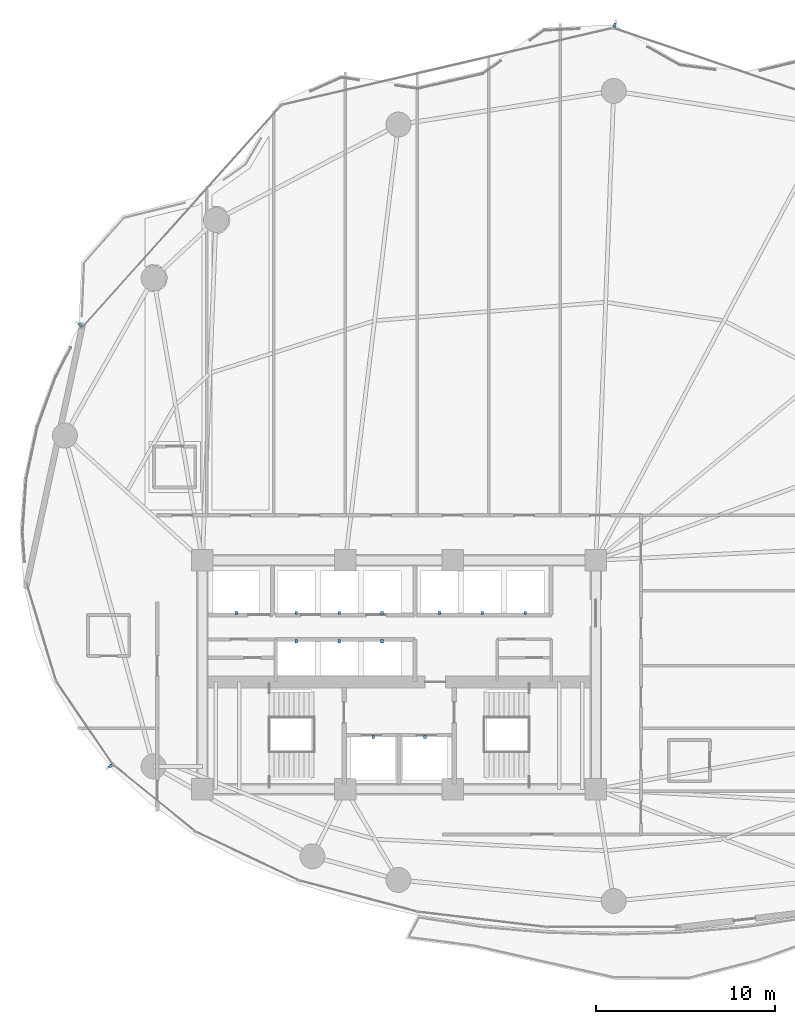
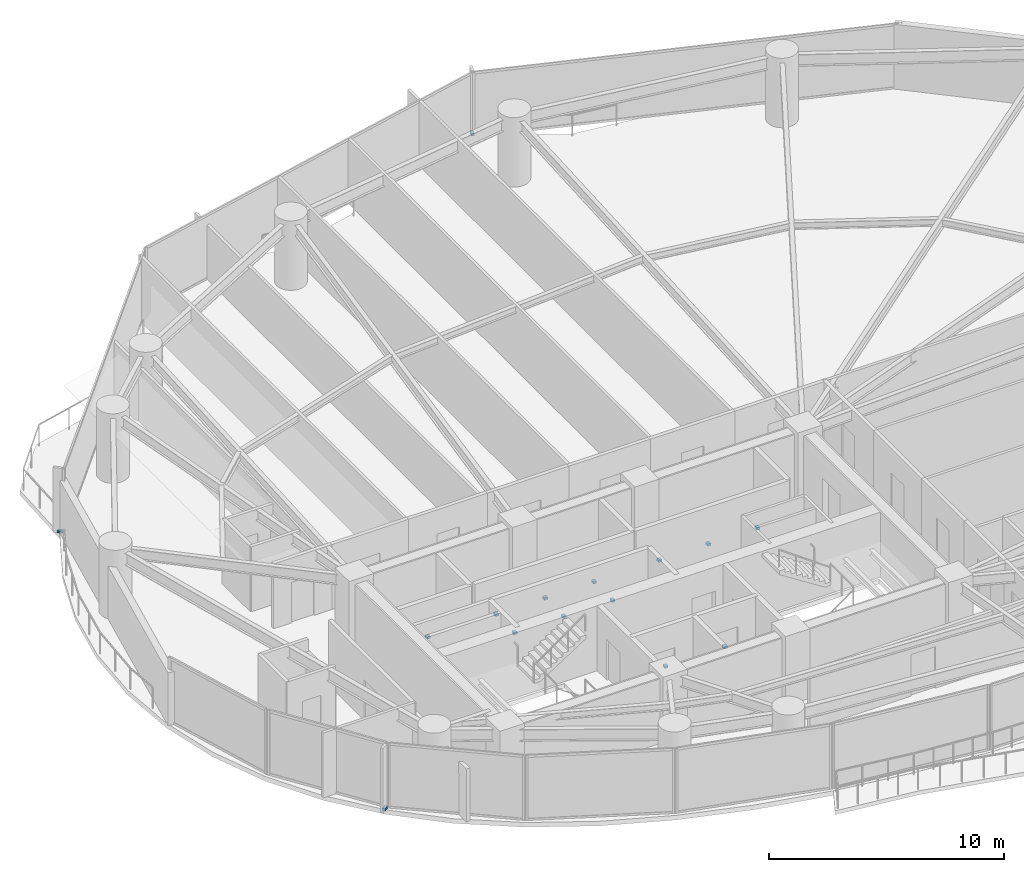
# One storey, part 29 of 32: 15 discrete accessories.
"""IFC4 building model written with IfcOpenShell, lengths in metres."""

from ifc_helpers import new_model, si_unit, direction, frame, origin, origin_2d, place, context, subcontext, project, spatial, rectangle, extrude, material, type_object, element, save


model = new_model("IFC4")

# Units and contexts
model_context = context("Model", 3, precision=1e-05, world=origin(), true_north=direction((0.0, 1.0)))
body_context = subcontext(model_context, "Body", "Model", "MODEL_VIEW")
ifc_project = project(units=[si_unit("LENGTHUNIT", "METRE"), si_unit("AREAUNIT", "SQUARE_METRE"), si_unit("VOLUMEUNIT", "CUBIC_METRE"), si_unit("PLANEANGLEUNIT", "RADIAN"), si_unit("MASSUNIT", "GRAM", prefix="KILO")], contexts=[model_context])

# Site, building, storey
site_placement = place(None, origin())
site = spatial("IfcSite", under=ifc_project, at=site_placement, CompositionType="ELEMENT")
building_placement = place(site_placement, origin())
building = spatial("IfcBuilding", under=site, at=building_placement, Name="Kazevale Care Tower and Concert Hall", CompositionType="ELEMENT")
storey_placement = place(building_placement, frame((0.0, 0.0, 85.199951171875)))
storey = spatial("IfcBuildingStorey", under=building, at=storey_placement, Name="L22", CompositionType="ELEMENT", Elevation=85.199951171875)

# Discrete accessories
ifc_material = material(Name="Stainless Steel 316", Category="steel")
discrete_accessory_type_1 = type_object("IfcDiscreteAccessoryType", Name="Facade Fin Stainless Anchor Bracket BRK-1", PredefinedType="BRACKET", material=ifc_material)
for number, where, z_axis, x_axis, name in (
    (1, (16.85791015625, 24.894287109375, 0.0), (0.0, 0.0, 1.0), (-0.825999928064, -0.563670221706, 0.0), "cw:L22:f11:brk"),
    (2, (15.166015625, 49.55029296875, 0.0), (0.0, 0.0, 1.0), (-0.744777599887, 0.667312765281, 0.0), "cw:L22:f14:brk"),
    (3, (45.04833984375, 66.316162109375, 0.0), (0.0, 0.0, 1.0), (0.320612990586, 0.947210277746, 0.0), "cw:L22:f16:brk"),
):
    element("IfcDiscreteAccessory", number, at=place(storey_placement, frame(where, z_axis=z_axis, x_axis=x_axis)), inside=storey, type_object=discrete_accessory_type_1, Name=name, PredefinedType="BRACKET", context=body_context, shape_type="SweptSolid", body=[
        extrude(rectangle(XDim=0.239990234375, YDim=0.139892578125, at=origin_2d()), origin(), (0.0, 0.0, 1.0), 0.1201171875),
    ])
discrete_accessory_type_2 = type_object("IfcDiscreteAccessoryType", Name="Hoistway Guide-Rail Wall Bracket HBRK-1", PredefinedType="BRACKET", material=ifc_material)
for number, where, z_axis, x_axis, name in (
    (4, (31.550048828125, 26.52001953125, 1.239990234375), (0.0, 0.0, 1.0), (1.0, 0.0, 0.0), "hbrk:FFL-1:L22"),
    (5, (34.449951171875, 26.52001953125, 1.239990234375), (0.0, 0.0, 1.0), (1.0, 0.0, 0.0), "hbrk:FFL-2:L22"),
    (6, (23.89990234375, 33.449951171875, 1.239990234375), (0.0, 0.0, 1.0), (1.0, 0.0, 0.0), "hbrk:SVL-1:L22"),
    (7, (27.25, 33.449951171875, 1.239990234375), (0.0, 0.0, 1.0), (1.0, 0.0, 0.0), "hbrk:PL-1:L22"),
    (8, (29.64990234375, 33.449951171875, 1.239990234375), (0.0, 0.0, 1.0), (1.0, 0.0, 0.0), "hbrk:PL-2:L22"),
    (9, (32.050048828125, 33.449951171875, 1.239990234375), (0.0, 0.0, 1.0), (1.0, 0.0, 0.0), "hbrk:PL-3:L22"),
    (10, (35.25, 33.449951171875, 1.239990234375), (0.0, 0.0, 1.0), (1.0, 0.0, 0.0), "hbrk:PM-1:L22"),
    (11, (37.64990234375, 33.449951171875, 1.239990234375), (0.0, 0.0, 1.0), (1.0, 0.0, 0.0), "hbrk:PM-2:L22"),
    (12, (40.050048828125, 33.449951171875, 1.239990234375), (0.0, 0.0, 1.0), (1.0, 0.0, 0.0), "hbrk:PM-3:L22"),
    (13, (27.25, 31.8798828125, 1.239990234375), (0.0, 0.0, 1.0), (1.0, 0.0, 0.0), "hbrk:PH-1:L22"),
    (14, (29.64990234375, 31.8798828125, 1.239990234375), (0.0, 0.0, 1.0), (1.0, 0.0, 0.0), "hbrk:PH-2:L22"),
    (15, (32.050048828125, 31.8798828125, 1.239990234375), (0.0, 0.0, 1.0), (1.0, 0.0, 0.0), "hbrk:PH-3:L22"),
):
    element("IfcDiscreteAccessory", number, at=place(storey_placement, frame(where, z_axis=z_axis, x_axis=x_axis)), inside=storey, type_object=discrete_accessory_type_2, Name=name, PredefinedType="BRACKET", context=body_context, shape_type="SweptSolid", body=[
        extrude(rectangle(XDim=0.159912109375, YDim=0.179931640625, at=origin_2d()), origin(), (0.0, 0.0, 1.0), 0.1201171875),
    ])

save(model, "model.ifc")
